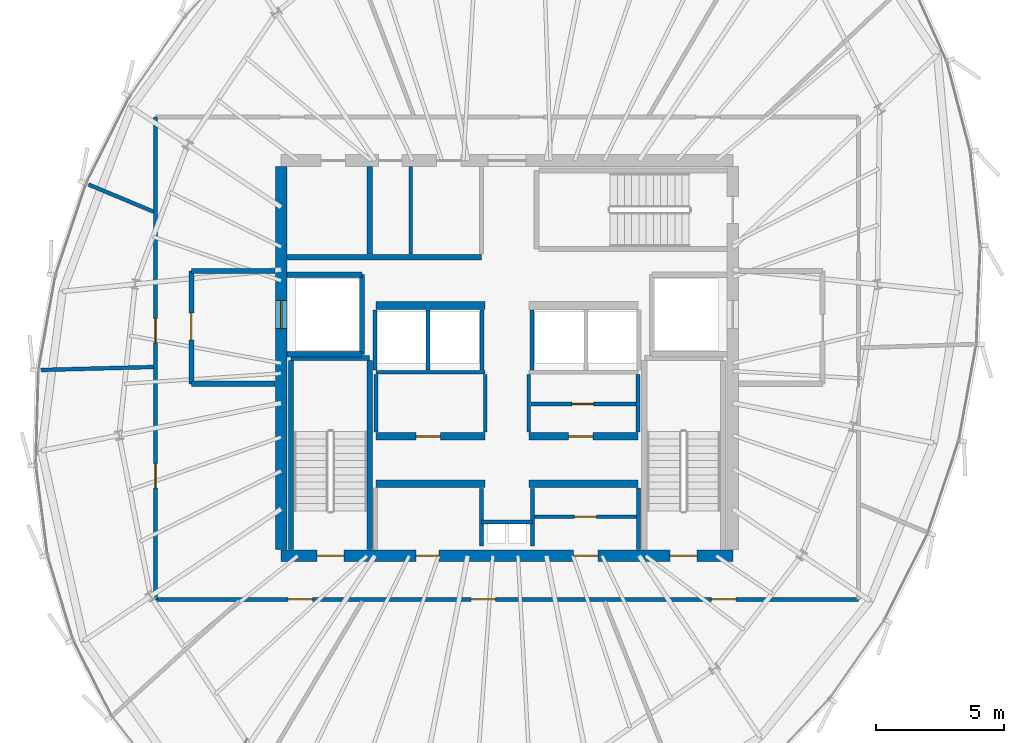
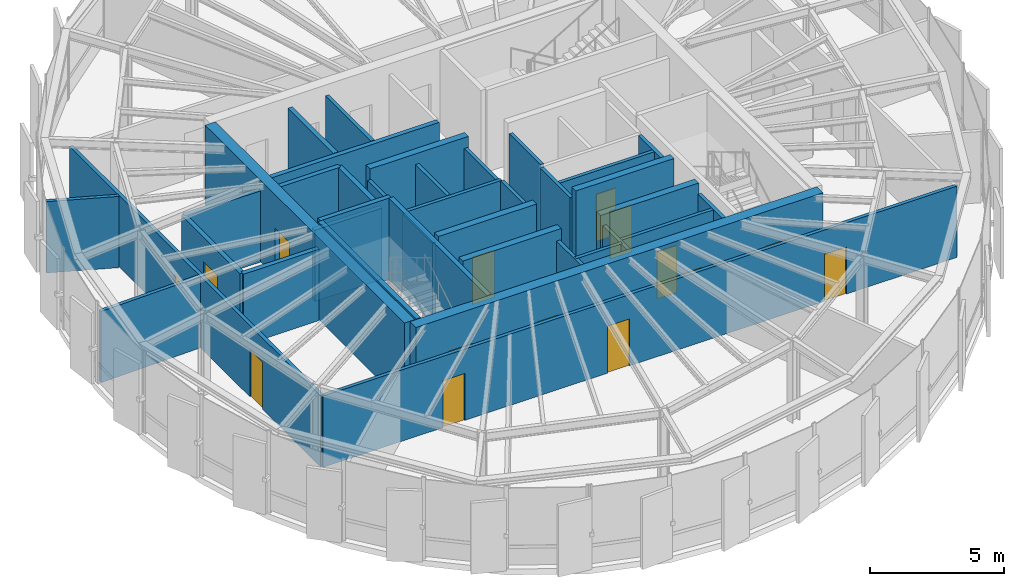
# One storey, part 20 of 25: 38 walls, 15 doors, 15 openings.
"""IFC4 building model written with IfcOpenShell, lengths in metres."""

from ifc_helpers import new_model, si_unit, direction, frame, frame_2d, origin, place, context, subcontext, project, spatial, rectangle, extrude, source, transform, mapped, material, layer, layer_set, type_object, element, fill, save


model = new_model("IFC4")

# Units and contexts
model_context = context("Model", 3, precision=1e-05, world=origin(), true_north=direction((0.0, 1.0)))
body_context = subcontext(model_context, "Body", "Model", "MODEL_VIEW")
ifc_project = project(units=[si_unit("LENGTHUNIT", "METRE"), si_unit("AREAUNIT", "SQUARE_METRE"), si_unit("VOLUMEUNIT", "CUBIC_METRE"), si_unit("PLANEANGLEUNIT", "RADIAN"), si_unit("MASSUNIT", "GRAM", prefix="KILO"), si_unit("THERMODYNAMICTEMPERATUREUNIT", "KELVIN")], contexts=[model_context])

# Site, building, storey
site_placement = place(None, origin())
site = spatial("IfcSite", under=ifc_project, at=site_placement, CompositionType="ELEMENT")
building_placement = place(site_placement, origin())
building = spatial("IfcBuilding", under=site, at=building_placement, Name="Kethvar Cultural Tower", CompositionType="ELEMENT")
storey_placement = place(building_placement, frame((0.0, 0.0, 304.300048828125)))
storey = spatial("IfcBuildingStorey", under=building, at=storey_placement, Name="L81", CompositionType="ELEMENT", Elevation=304.300048828125)

# Wall, openings, doors
ifc_material_1 = material(Name="Concrete C50/60", Category="concrete")
ifc_layer_1 = layer(ifc_material_1, 0.449951171875, Name="Concrete C50/60", Category="concrete")
ifc_layer_set_1 = layer_set([ifc_layer_1], Name="Concrete C50/60 (450 mm)")
wall_type_1 = type_object("IfcWallType", Name="WL-CORE-450", PredefinedType="SHEAR", material=ifc_layer_set_1)
wall_1_placement = place(storey_placement, frame((38.0, 20.10009765625, 0.0), z_axis=(0.0, 0.0, 1.0), x_axis=(1.0, 0.0, 0.0)))
wall_1 = element("IfcWall", 1, at=wall_1_placement, inside=storey, type_object=wall_type_1, Name="L81 Core Shear Wall S", PredefinedType="SHEAR", context=body_context, shape_type="SweptSolid", body=[
    extrude(rectangle(XDim=17.60009765625, YDim=0.449951171875, at=frame_2d((8.800048828125, 0.0))), origin(), (0.0, 0.0, 1.0), 3.73486328125),
])
opening_1_placement = place(wall_1_placement, frame((1.39990234375, 0.0, 0.0)))
opening_1 = element("IfcOpeningElement", 2, at=opening_1_placement, cuts=wall_1, Name="Opening D-L81-S1", PredefinedType="OPENING", context=body_context, shape_type="SweptSolid", body=[
    extrude(rectangle(XDim=1.050048828125, YDim=2.14990234375, at=frame_2d((0.52490234375, 1.074951171875))), frame((0.0, 0.23486328125, 0.0), z_axis=(0.0, -1.0, 0.0), x_axis=(1.0, 0.0, 0.0)), (0.0, 0.0, 1.0), 0.469970703125),
])
opening_2_placement = place(wall_1_placement, frame((15.14990234375, 0.0, 0.0)))
opening_2 = element("IfcOpeningElement", 3, at=opening_2_placement, cuts=wall_1, Name="Opening D-L81-ST2", PredefinedType="OPENING", context=body_context, shape_type="SweptSolid", body=[
    extrude(rectangle(XDim=1.050048828125, YDim=2.14990234375, at=frame_2d((0.52490234375, 1.074951171875))), frame((0.0, 0.23486328125, 0.0), z_axis=(0.0, -1.0, 0.0), x_axis=(1.0, 0.0, 0.0)), (0.0, 0.0, 1.0), 0.469970703125),
])
opening_3_placement = place(wall_1_placement, frame((5.25, 0.0, 0.0)))
opening_3 = element("IfcOpeningElement", 4, at=opening_3_placement, cuts=wall_1, Name="Opening D-L81-V1", PredefinedType="OPENING", context=body_context, shape_type="SweptSolid", body=[
    extrude(rectangle(XDim=0.89990234375, YDim=2.14990234375, at=frame_2d((0.449951171875, 1.074951171875))), frame((0.0, 0.23486328125, 0.0), z_axis=(0.0, -1.0, 0.0), x_axis=(1.0, 0.0, 0.0)), (0.0, 0.0, 1.0), 0.469970703125),
])
opening_4_placement = place(wall_1_placement, frame((11.39990234375, 0.0, 0.0)))
opening_4 = element("IfcOpeningElement", 5, at=opening_4_placement, cuts=wall_1, Name="Opening D-L81-V2", PredefinedType="OPENING", context=body_context, shape_type="SweptSolid", body=[
    extrude(rectangle(XDim=0.949951171875, YDim=2.14990234375, at=frame_2d((0.47509765625, 1.074951171875))), frame((0.0, 0.23486328125, 0.0), z_axis=(0.0, -1.0, 0.0), x_axis=(1.0, 0.0, 0.0)), (0.0, 0.0, 1.0), 0.469970703125),
])
ifc_material_2 = material(Name="Steel S355J2", Category="steel")
door_type_1 = type_object("IfcDoorType", Name="DR-FD60-1050", OperationType="NOTDEFINED", PredefinedType="DOOR", material=ifc_material_2)
shared_shape_1 = source(origin(), body_context, "Body", "SweptSolid", [
    extrude(rectangle(XDim=1.050048828125, YDim=2.14990234375, at=frame_2d((0.52490234375, 1.074951171875))), frame((0.0, 0.02490234375, 0.0), z_axis=(0.0, -1.0, 0.0), x_axis=(1.0, 0.0, 0.0)), (0.0, 0.0, 1.0), 0.050048828125),
])
door_1_placement = place(opening_1_placement, origin())
door_1 = element("IfcDoor", 6, at=door_1_placement, inside=storey, type_object=door_type_1, Name="L81 Exit Stair 1 Door", OperationType="SINGLE_SWING_LEFT", OverallHeight=2.14990234375, OverallWidth=1.050048828125, PredefinedType="DOOR", context=body_context, shape_type="MappedRepresentation", body=[
    mapped(shared_shape_1, transform((0.0, 0.0, 0.0), scale=1.0)),
])
fill(opening_1, door_1)
door_2_placement = place(opening_2_placement, origin())
door_2 = element("IfcDoor", 7, at=door_2_placement, inside=storey, type_object=door_type_1, Name="L81 Exit Stair 2 Door", OperationType="SINGLE_SWING_RIGHT", OverallHeight=2.14990234375, OverallWidth=1.050048828125, PredefinedType="DOOR", context=body_context, shape_type="MappedRepresentation", body=[
    mapped(shared_shape_1, transform((0.0, 0.0, 0.0), scale=1.0)),
])
fill(opening_2, door_2)
ifc_material_3 = material(Name="Architectural Oak Timber", Category="wood")
door_type_2 = type_object("IfcDoorType", Name="DR-FD30-950", OperationType="NOTDEFINED", PredefinedType="DOOR", material=ifc_material_3)
shared_shape_2 = source(origin(), body_context, "Body", "SweptSolid", [
    extrude(rectangle(XDim=0.949951171875, YDim=2.14990234375, at=frame_2d((0.47509765625, 1.074951171875))), frame((0.0, 0.02490234375, 0.0), z_axis=(0.0, -1.0, 0.0), x_axis=(1.0, 0.0, 0.0)), (0.0, 0.0, 1.0), 0.050048828125),
])
door_3_placement = place(opening_4_placement, origin())
door_3 = element("IfcDoor", 8, at=door_3_placement, inside=storey, type_object=door_type_2, Name="L81 Bindery Supply Door", OperationType="SINGLE_SWING_RIGHT", OverallHeight=2.14990234375, OverallWidth=0.949951171875, PredefinedType="DOOR", context=body_context, shape_type="MappedRepresentation", body=[
    mapped(shared_shape_2, transform((0.0, 0.0, 0.0), scale=1.0)),
])
fill(opening_4, door_3)
door_type_3 = type_object("IfcDoorType", Name="DR-FD30-900", OperationType="NOTDEFINED", PredefinedType="DOOR", material=ifc_material_3)
shared_shape_3 = source(origin(), body_context, "Body", "SweptSolid", [
    extrude(rectangle(XDim=0.89990234375, YDim=2.14990234375, at=frame_2d((0.449951171875, 1.074951171875))), frame((0.0, 0.02490234375, 0.0), z_axis=(0.0, -1.0, 0.0), x_axis=(1.0, 0.0, 0.0)), (0.0, 0.0, 1.0), 0.050048828125),
])
door_4_placement = place(opening_3_placement, origin())
door_4 = element("IfcDoor", 9, at=door_4_placement, inside=storey, type_object=door_type_3, Name="L81 Folio Vault Door", OperationType="SINGLE_SWING_LEFT", OverallHeight=2.14990234375, OverallWidth=0.89990234375, PredefinedType="DOOR", context=body_context, shape_type="MappedRepresentation", body=[
    mapped(shared_shape_3, transform((0.0, 0.0, 0.0), scale=1.0)),
])
fill(opening_3, door_4)

# Wall, opening, door
wall_2_placement = place(storey_placement, frame((38.0, 35.260009765625, 0.0), z_axis=(0.0, 0.0, 1.0), x_axis=(0.0, -1.0, 0.0)))
wall_2 = element("IfcWall", 10, at=wall_2_placement, inside=storey, type_object=wall_type_1, Name="L81 Core Shear Wall W", PredefinedType="SHEAR", context=body_context, shape_type="SweptSolid", body=[
    extrude(rectangle(XDim=14.919921875, YDim=0.449951171875, at=frame_2d((7.4599609375, 0.0))), origin(), (0.0, 0.0, 1.0), 3.73486328125),
])
opening_5_placement = place(wall_2_placement, frame((5.2099609375, 0.0, 0.0)))
opening_5 = element("IfcOpeningElement", 11, at=opening_5_placement, cuts=wall_2, Name="Opening LD-1", PredefinedType="OPENING", context=body_context, shape_type="SweptSolid", body=[
    extrude(rectangle(XDim=1.10009765625, YDim=2.199951171875, at=frame_2d((0.550048828125, 1.10009765625))), frame((0.0, 0.23486328125, 0.0), z_axis=(0.0, -1.0, 0.0), x_axis=(1.0, 0.0, 0.0)), (0.0, 0.0, 1.0), 0.469970703125),
])
door_type_4 = type_object("IfcDoorType", Name="DR-LIFT-SLIDE-1100", OperationType="NOTDEFINED", PredefinedType="DOOR", material=ifc_material_2)
shared_shape_4 = source(origin(), body_context, "Body", "SweptSolid", [
    extrude(rectangle(XDim=1.10009765625, YDim=2.199951171875, at=frame_2d((0.550048828125, 1.10009765625))), frame((0.0, 0.02490234375, 0.0), z_axis=(0.0, -1.0, 0.0), x_axis=(1.0, 0.0, 0.0)), (0.0, 0.0, 1.0), 0.050048828125),
])
door_5_placement = place(opening_5_placement, origin())
door_5 = element("IfcDoor", 12, at=door_5_placement, inside=storey, type_object=door_type_4, Name="L81 Firefighting Lift Landing Door FFL-01", OperationType="SLIDING_TO_LEFT", OverallHeight=2.199951171875, OverallWidth=1.10009765625, PredefinedType="DOOR", context=body_context, shape_type="MappedRepresentation", body=[
    mapped(shared_shape_4, transform((0.0, 0.0, 0.0), scale=1.0)),
])
fill(opening_5, door_5)

# Walls
ifc_material_4 = material(Name="Gypsum Fireboard Partition")
ifc_layer_2 = layer(ifc_material_4, 0.14990234375, Name="Gypsum Fireboard Partition")
ifc_layer_set_2 = layer_set([ifc_layer_2], Name="Gypsum Fireboard Partition (150 mm)")
wall_type_2 = type_object("IfcWallType", Name="WL-FIRE-150", PredefinedType="PARTITIONING", material=ifc_layer_set_2)
wall_3_placement = place(storey_placement, frame((45.800048828125, 21.419921875, 0.0), z_axis=(0.0, 0.0, 1.0), x_axis=(1.0, 0.0, 0.0)))
element("IfcWall", 13, at=wall_3_placement, inside=storey, type_object=wall_type_2, Name="L81 Core Riser Wall", PredefinedType="PARTITIONING", context=body_context, shape_type="SweptSolid", body=[
    extrude(rectangle(XDim=2.0, YDim=0.14990234375, at=frame_2d((1.0, 0.0))), origin(), (0.0, 0.0, 1.0), 3.260009765625),
])
for number, where, z_axis, x_axis, name in (
    (14, (45.800048828125, 20.47998046875, 0.0), (0.0, 0.0, 1.0), (0.0, 1.0, 0.0), "L81 Core Riser West Wall"),
    (15, (47.800048828125, 20.47998046875, 0.0), (0.0, 0.0, 1.0), (0.0, 1.0, 0.0), "L81 Core Riser East Wall"),
):
    element("IfcWall", number, at=place(storey_placement, frame(where, z_axis=z_axis, x_axis=x_axis)), inside=storey, type_object=wall_type_2, Name=name, PredefinedType="PARTITIONING", context=body_context, shape_type="SweptSolid", body=[
        extrude(rectangle(XDim=2.239990234375, YDim=0.14990234375, at=frame_2d((1.1201171875, 0.0))), origin(), (0.0, 0.0, 1.0), 3.260009765625),
    ])
wall_4_placement = place(storey_placement, frame((51.919921875, 20.3349609375, 0.0), z_axis=(0.0, 0.0, 1.0), x_axis=(0.0, 1.0, 0.0)))
element("IfcWall", 16, at=wall_4_placement, inside=storey, type_object=wall_type_2, Name="L81 Reclaimed East Outer Wall", PredefinedType="PARTITIONING", context=body_context, shape_type="SweptSolid", body=[
    extrude(rectangle(XDim=2.39501953125, YDim=0.14990234375, at=frame_2d((1.197509765625, 0.0))), origin(), (0.0, 0.0, 1.0), 3.260009765625),
])

# Wall, opening, door
wall_5_placement = place(storey_placement, frame((47.8798828125, 21.6201171875, 0.0), z_axis=(0.0, 0.0, 1.0), x_axis=(1.0, 0.0, 0.0)))
wall_5 = element("IfcWall", 17, at=wall_5_placement, inside=storey, type_object=wall_type_2, Name="L81 Pantry Gallery Wall E", PredefinedType="PARTITIONING", context=body_context, shape_type="SweptSolid", body=[
    extrude(rectangle(XDim=3.960205078125, YDim=0.14990234375, at=frame_2d((1.97998046875, 0.0))), origin(), (0.0, 0.0, 1.0), 3.260009765625),
])
opening_6_placement = place(wall_5_placement, frame((1.550048828125, 0.0, 0.0)))
opening_6 = element("IfcOpeningElement", 18, at=opening_6_placement, cuts=wall_5, Name="Opening D-L81-V3", PredefinedType="OPENING", context=body_context, shape_type="SweptSolid", body=[
    extrude(rectangle(XDim=0.85009765625, YDim=2.14990234375, at=frame_2d((0.425048828125, 1.074951171875))), frame((0.0, 0.0849609375, 0.0), z_axis=(0.0, -1.0, 0.0), x_axis=(1.0, 0.0, 0.0)), (0.0, 0.0, 1.0), 0.169921875),
])
door_type_5 = type_object("IfcDoorType", Name="DR-FD30-850", OperationType="NOTDEFINED", PredefinedType="DOOR", material=ifc_material_2)
shared_shape_5 = source(origin(), body_context, "Body", "SweptSolid", [
    extrude(rectangle(XDim=0.85009765625, YDim=2.14990234375, at=frame_2d((0.425048828125, 1.074951171875))), frame((0.0, 0.02490234375, 0.0), z_axis=(0.0, -1.0, 0.0), x_axis=(1.0, 0.0, 0.0)), (0.0, 0.0, 1.0), 0.050048828125),
])
door_6_placement = place(opening_6_placement, origin())
door_6 = element("IfcDoor", 19, at=door_6_placement, inside=storey, type_object=door_type_5, Name="L81 Inner Pantry Gallery Door", OperationType="SINGLE_SWING_RIGHT", OverallHeight=2.14990234375, OverallWidth=0.85009765625, PredefinedType="DOOR", context=body_context, shape_type="MappedRepresentation", body=[
    mapped(shared_shape_5, transform((0.0, 0.0, 0.0), scale=1.0)),
])
fill(opening_6, door_6)

# Walls
wall_6_placement = place(storey_placement, frame((41.699951171875, 27.25, 0.0), z_axis=(0.0, 0.0, 1.0), x_axis=(1.0, 0.0, 0.0)))
element("IfcWall", 20, at=wall_6_placement, inside=storey, type_object=wall_type_2, Name="L81 Reclaimed Mid Wall W", PredefinedType="PARTITIONING", context=body_context, shape_type="SweptSolid", body=[
    extrude(rectangle(XDim=4.25, YDim=0.14990234375, at=frame_2d((2.125, 0.0))), origin(), (0.0, 0.0, 1.0), 3.260009765625),
])
for number, where, z_axis, x_axis, name in (
    (21, (41.699951171875, 24.919921875, 0.0), (0.0, 0.0, 1.0), (0.0, 1.0, 0.0), "L81 Reclaimed Mid Outer W"),
    (22, (45.949951171875, 24.919921875, 0.0), (0.0, 0.0, 1.0), (0.0, 1.0, 0.0), "L81 Reclaimed Mid Spine W"),
    (23, (47.64990234375, 24.919921875, 0.0), (0.0, 0.0, 1.0), (0.0, 1.0, 0.0), "L81 Reclaimed Mid Spine E"),
    (24, (51.89990234375, 24.919921875, 0.0), (0.0, 0.0, 1.0), (0.0, 1.0, 0.0), "L81 Reclaimed Mid Outer E"),
):
    element("IfcWall", number, at=place(storey_placement, frame(where, z_axis=z_axis, x_axis=x_axis)), inside=storey, type_object=wall_type_2, Name=name, PredefinedType="PARTITIONING", context=body_context, shape_type="SweptSolid", body=[
        extrude(rectangle(XDim=2.239990234375, YDim=0.14990234375, at=frame_2d((1.1201171875, 0.0))), origin(), (0.0, 0.0, 1.0), 3.260009765625),
    ])

# Wall, opening, door
wall_7_placement = place(storey_placement, frame((47.72998046875, 26.010009765625, 0.0), z_axis=(0.0, 0.0, 1.0), x_axis=(1.0, 0.0, 0.0)))
wall_7 = element("IfcWall", 25, at=wall_7_placement, inside=storey, type_object=wall_type_2, Name="L81 Mid Gallery Wall E", PredefinedType="PARTITIONING", context=body_context, shape_type="SweptSolid", body=[
    extrude(rectangle(XDim=4.090087890625, YDim=0.14990234375, at=frame_2d((2.044921875, 0.0))), origin(), (0.0, 0.0, 1.0), 3.260009765625),
])
opening_7_placement = place(wall_7_placement, frame((1.60009765625, 0.0, 0.0)))
opening_7 = element("IfcOpeningElement", 26, at=opening_7_placement, cuts=wall_7, Name="Opening D-L81-M3", PredefinedType="OPENING", context=body_context, shape_type="SweptSolid", body=[
    extrude(rectangle(XDim=0.85009765625, YDim=2.14990234375, at=frame_2d((0.425048828125, 1.074951171875))), frame((0.0, 0.0849609375, 0.0), z_axis=(0.0, -1.0, 0.0), x_axis=(1.0, 0.0, 0.0)), (0.0, 0.0, 1.0), 0.169921875),
])
door_7_placement = place(opening_7_placement, origin())
door_7 = element("IfcDoor", 27, at=door_7_placement, inside=storey, type_object=door_type_5, Name="L81 UPS Inner Door", OperationType="SINGLE_SWING_RIGHT", OverallHeight=2.14990234375, OverallWidth=0.85009765625, PredefinedType="DOOR", context=body_context, shape_type="MappedRepresentation", body=[
    mapped(shared_shape_5, transform((0.0, 0.0, 0.0), scale=1.0)),
])
fill(opening_7, door_7)

# Walls
for number, where, z_axis, x_axis, name in (
    (28, (41.64990234375, 27.340087890625, 0.0), (0.0, 0.0, 1.0), (0.0, 1.0, 0.0), "L81 High-Rise Lift Shaft Outer Wall W"),
    (29, (43.72509765625, 27.340087890625, 0.0), (0.0, 0.0, 1.0), (0.0, 1.0, 0.0), "L81 High-Rise Lift Shaft Divider W"),
    (30, (45.824951171875, 27.340087890625, 0.0), (0.0, 0.0, 1.0), (0.0, 1.0, 0.0), "L81 High-Rise Lift Shaft Concourse Wall W"),
    (31, (47.77490234375, 27.340087890625, 0.0), (0.0, 0.0, 1.0), (0.0, 1.0, 0.0), "L81 High-Rise Lift Shaft Concourse Wall E"),
):
    element("IfcWall", number, at=place(storey_placement, frame(where, z_axis=z_axis, x_axis=x_axis)), inside=storey, type_object=wall_type_2, Name=name, PredefinedType="PARTITIONING", context=body_context, shape_type="SweptSolid", body=[
        extrude(rectangle(XDim=2.33984375, YDim=0.14990234375, at=frame_2d((1.169921875, 0.0))), origin(), (0.0, 0.0, 1.0), 3.260009765625),
    ])

# Wall, openings, doors
wall_8_placement = place(storey_placement, frame((33.10009765625, 18.39990234375, 0.0), z_axis=(0.0, 0.0, 1.0), x_axis=(1.0, 0.0, 0.0)))
wall_8 = element("IfcWall", 32, at=wall_8_placement, inside=storey, type_object=wall_type_2, Name="L81 Corridor Rated Wall S", PredefinedType="PARTITIONING", context=body_context, shape_type="SweptSolid", body=[
    extrude(rectangle(XDim=27.39990234375, YDim=0.14990234375, at=frame_2d((13.699951171875, 0.0))), origin(), (0.0, 0.0, 1.0), 3.260009765625),
])
opening_8_placement = place(wall_8_placement, frame((5.17431640625, 0.0, 0.0)))
opening_8 = element("IfcOpeningElement", 33, at=opening_8_placement, cuts=wall_8, Name="Opening D-L81-02", PredefinedType="OPENING", context=body_context, shape_type="SweptSolid", body=[
    extrude(rectangle(XDim=0.949951171875, YDim=2.14990234375, at=frame_2d((0.47509765625, 1.074951171875))), frame((0.0, 0.0849609375, 0.0), z_axis=(0.0, -1.0, 0.0), x_axis=(1.0, 0.0, 0.0)), (0.0, 0.0, 1.0), 0.169921875),
])
opening_9_placement = place(wall_8_placement, frame((12.302490234375, 0.0, 0.0)))
opening_9 = element("IfcOpeningElement", 34, at=opening_9_placement, cuts=wall_8, Name="Opening D-L81-03", PredefinedType="OPENING", context=body_context, shape_type="SweptSolid", body=[
    extrude(rectangle(XDim=0.949951171875, YDim=2.14990234375, at=frame_2d((0.47509765625, 1.074951171875))), frame((0.0, 0.0849609375, 0.0), z_axis=(0.0, -1.0, 0.0), x_axis=(1.0, 0.0, 0.0)), (0.0, 0.0, 1.0), 0.169921875),
])
opening_10_placement = place(wall_8_placement, frame((21.66796875, 0.0, 0.0)))
opening_10 = element("IfcOpeningElement", 35, at=opening_10_placement, cuts=wall_8, Name="Opening D-L81-04", PredefinedType="OPENING", context=body_context, shape_type="SweptSolid", body=[
    extrude(rectangle(XDim=0.949951171875, YDim=2.14990234375, at=frame_2d((0.47509765625, 1.074951171875))), frame((0.0, 0.0849609375, 0.0), z_axis=(0.0, -1.0, 0.0), x_axis=(1.0, 0.0, 0.0)), (0.0, 0.0, 1.0), 0.169921875),
])
door_8_placement = place(opening_8_placement, origin())
door_8 = element("IfcDoor", 36, at=door_8_placement, inside=storey, type_object=door_type_2, Name="L81 Primary AHU Mechanical Plant Room 02 Door", OperationType="SINGLE_SWING_LEFT", OverallHeight=2.14990234375, OverallWidth=0.949951171875, PredefinedType="DOOR", context=body_context, shape_type="MappedRepresentation", body=[
    mapped(shared_shape_2, transform((0.0, 0.0, 0.0), scale=1.0)),
])
fill(opening_8, door_8)
door_9_placement = place(opening_9_placement, origin())
door_9 = element("IfcDoor", 37, at=door_9_placement, inside=storey, type_object=door_type_2, Name="L81 Broadcast Transmitter Plant Room 03 Door", OperationType="SINGLE_SWING_RIGHT", OverallHeight=2.14990234375, OverallWidth=0.949951171875, PredefinedType="DOOR", context=body_context, shape_type="MappedRepresentation", body=[
    mapped(shared_shape_2, transform((0.0, 0.0, 0.0), scale=1.0)),
])
fill(opening_9, door_9)
door_10_placement = place(opening_10_placement, origin())
door_10 = element("IfcDoor", 38, at=door_10_placement, inside=storey, type_object=door_type_2, Name="L81 MV Transformer Plant Room 04 Door", OperationType="SINGLE_SWING_LEFT", OverallHeight=2.14990234375, OverallWidth=0.949951171875, PredefinedType="DOOR", context=body_context, shape_type="MappedRepresentation", body=[
    mapped(shared_shape_2, transform((0.0, 0.0, 0.0), scale=1.0)),
])
fill(opening_10, door_10)

wall_9_placement = place(storey_placement, frame((33.10009765625, 37.199951171875, 0.0), z_axis=(0.0, 0.0, 1.0), x_axis=(0.0, -1.0, 0.0)))
wall_9 = element("IfcWall", 39, at=wall_9_placement, inside=storey, type_object=wall_type_2, Name="L81 Corridor Rated Wall W", PredefinedType="PARTITIONING", context=body_context, shape_type="SweptSolid", body=[
    extrude(rectangle(XDim=18.800048828125, YDim=0.14990234375, at=frame_2d((9.39990234375, 0.0))), origin(), (0.0, 0.0, 1.0), 3.260009765625),
])
opening_11_placement = place(wall_9_placement, frame((13.50732421875, 0.0, 0.0)))
opening_11 = element("IfcOpeningElement", 40, at=opening_11_placement, cuts=wall_9, Name="Opening D-L81-01", PredefinedType="OPENING", context=body_context, shape_type="SweptSolid", body=[
    extrude(rectangle(XDim=0.949951171875, YDim=2.14990234375, at=frame_2d((0.47509765625, 1.074951171875))), frame((0.0, 0.0849609375, 0.0), z_axis=(0.0, -1.0, 0.0), x_axis=(1.0, 0.0, 0.0)), (0.0, 0.0, 1.0), 0.169921875),
])
opening_12_placement = place(wall_9_placement, frame((7.848388671875, 0.0, 0.0)))
opening_12 = element("IfcOpeningElement", 41, at=opening_12_placement, cuts=wall_9, Name="Opening D-L81-10", PredefinedType="OPENING", context=body_context, shape_type="SweptSolid", body=[
    extrude(rectangle(XDim=0.949951171875, YDim=2.14990234375, at=frame_2d((0.47509765625, 1.074951171875))), frame((0.0, 0.0849609375, 0.0), z_axis=(0.0, -1.0, 0.0), x_axis=(1.0, 0.0, 0.0)), (0.0, 0.0, 1.0), 0.169921875),
])
door_11_placement = place(opening_11_placement, origin())
door_11 = element("IfcDoor", 42, at=door_11_placement, inside=storey, type_object=door_type_2, Name="L81 Crown Chiller Plant Room 01 Door", OperationType="SINGLE_SWING_RIGHT", OverallHeight=2.14990234375, OverallWidth=0.949951171875, PredefinedType="DOOR", context=body_context, shape_type="MappedRepresentation", body=[
    mapped(shared_shape_2, transform((0.0, 0.0, 0.0), scale=1.0)),
])
fill(opening_11, door_11)
door_12_placement = place(opening_12_placement, origin())
door_12 = element("IfcDoor", 43, at=door_12_placement, inside=storey, type_object=door_type_2, Name="L81 Telemetry Equipment Plant Room 10 Door", OperationType="SINGLE_SWING_LEFT", OverallHeight=2.14990234375, OverallWidth=0.949951171875, PredefinedType="DOOR", context=body_context, shape_type="MappedRepresentation", body=[
    mapped(shared_shape_2, transform((0.0, 0.0, 0.0), scale=1.0)),
])
fill(opening_12, door_12)

# Walls
wall_10_placement = place(storey_placement, frame((33.02001953125, 27.453369140625, 0.0), z_axis=(0.0, 0.0, 1.0), x_axis=(-0.999647940646, -0.026532899632, 0.0)))
element("IfcWall", 44, at=wall_10_placement, inside=storey, type_object=wall_type_2, Name="L81 Radial Partition Wall 01", PredefinedType="PARTITIONING", context=body_context, shape_type="SweptSolid", body=[
    extrude(rectangle(XDim=4.37060546875, YDim=0.14990234375, at=frame_2d((2.185302734375, 0.0))), origin(), (0.0, 0.0, 1.0), 3.260009765625),
])
wall_11_placement = place(storey_placement, frame((33.026123046875, 33.505615234375, 0.0), z_axis=(0.0, 0.0, 1.0), x_axis=(-0.922747412887, 0.385405256854, 0.0)))
element("IfcWall", 45, at=wall_11_placement, inside=storey, type_object=wall_type_2, Name="L81 Radial Partition Wall 10", PredefinedType="PARTITIONING", context=body_context, shape_type="SweptSolid", body=[
    extrude(rectangle(XDim=2.742919921875, YDim=0.14990234375, at=frame_2d((1.37158203125, 0.0))), origin(), (0.0, 0.0, 1.0), 3.260009765625),
])
ifc_material_5 = material(Name="Concrete C40/50", Category="concrete")
ifc_layer_3 = layer(ifc_material_5, 0.199951171875, Name="Concrete C40/50", Category="concrete")
ifc_layer_set_3 = layer_set([ifc_layer_3], Name="Concrete C40/50 (200 mm)")
wall_type_3 = type_object("IfcWallType", Name="WL-FIRE-200", PredefinedType="PARTITIONING", material=ifc_layer_set_3)
wall_12_placement = place(storey_placement, frame((41.14990234375, 27.949951171875, 0.0), z_axis=(0.0, 0.0, 1.0), x_axis=(0.0, 1.0, 0.0)))
element("IfcWall", 46, at=wall_12_placement, inside=storey, type_object=wall_type_3, Name="L81 FFL-01 Shaft Inner Wall", PredefinedType="PARTITIONING", context=body_context, shape_type="SweptSolid", body=[
    extrude(rectangle(XDim=3.10009765625, YDim=0.199951171875, at=frame_2d((1.550048828125, 0.0))), origin(), (0.0, 0.0, 1.0), 3.260009765625),
])
for number, where, z_axis, x_axis, name in (
    (47, (38.235107421875, 27.949951171875, 0.0), (0.0, 0.0, 1.0), (1.0, 0.0, 0.0), "L81 FFL-01 Shaft South Wall"),
    (48, (38.235107421875, 31.050048828125, 0.0), (0.0, 0.0, 1.0), (1.0, 0.0, 0.0), "L81 FFL-01 Shaft North Wall"),
):
    element("IfcWall", number, at=place(storey_placement, frame(where, z_axis=z_axis, x_axis=x_axis)), inside=storey, type_object=wall_type_3, Name=name, PredefinedType="PARTITIONING", context=body_context, shape_type="SweptSolid", body=[
        extrude(rectangle(XDim=2.914794921875, YDim=0.199951171875, at=frame_2d((1.45751953125, 0.0))), origin(), (0.0, 0.0, 1.0), 3.260009765625),
    ])

# Wall, opening, door
wall_13_placement = place(storey_placement, frame((34.5, 31.199951171875, 0.0), z_axis=(0.0, 0.0, 1.0), x_axis=(0.0, -1.0, 0.0)))
wall_13 = element("IfcWall", 49, at=wall_13_placement, inside=storey, type_object=wall_type_3, Name="L81 Firefighting Lobby 1 Wall", PredefinedType="PARTITIONING", context=body_context, shape_type="SweptSolid", body=[
    extrude(rectangle(XDim=4.39990234375, YDim=0.199951171875, at=frame_2d((2.199951171875, 0.0))), origin(), (0.0, 0.0, 1.0), 3.260009765625),
])
opening_13_placement = place(wall_13_placement, frame((1.64990234375, 0.0, 0.0)))
opening_13 = element("IfcOpeningElement", 50, at=opening_13_placement, cuts=wall_13, Name="Opening D-L81-F1", PredefinedType="OPENING", context=body_context, shape_type="SweptSolid", body=[
    extrude(rectangle(XDim=1.050048828125, YDim=2.14990234375, at=frame_2d((0.52490234375, 1.074951171875))), frame((0.0, 0.10986328125, 0.0), z_axis=(0.0, -1.0, 0.0), x_axis=(1.0, 0.0, 0.0)), (0.0, 0.0, 1.0), 0.219970703125),
])
door_13_placement = place(opening_13_placement, origin())
door_13 = element("IfcDoor", 51, at=door_13_placement, inside=storey, type_object=door_type_1, Name="L81 Firefighting Lobby 1 Fire Door", OperationType="SINGLE_SWING_LEFT", OverallHeight=2.14990234375, OverallWidth=1.050048828125, PredefinedType="DOOR", context=body_context, shape_type="MappedRepresentation", body=[
    mapped(shared_shape_1, transform((0.0, 0.0, 0.0), scale=1.0)),
])
fill(opening_13, door_13)

# Walls
for number, where, z_axis, x_axis, name in (
    (52, (34.5, 26.800048828125, 0.0), (0.0, 0.0, 1.0), (1.0, 0.0, 0.0), "L81 FF Lobby 1 South Wall"),
    (53, (34.5, 31.199951171875, 0.0), (0.0, 0.0, 1.0), (1.0, 0.0, 0.0), "L81 FF Lobby 1 North Wall"),
):
    element("IfcWall", number, at=place(storey_placement, frame(where, z_axis=z_axis, x_axis=x_axis)), inside=storey, type_object=wall_type_3, Name=name, PredefinedType="PARTITIONING", context=body_context, shape_type="SweptSolid", body=[
        extrude(rectangle(XDim=3.264892578125, YDim=0.199951171875, at=frame_2d((1.63232421875, 0.0))), origin(), (0.0, 0.0, 1.0), 3.260009765625),
    ])
wall_14_placement = place(storey_placement, frame((41.449951171875, 31.85009765625, 0.0), z_axis=(0.0, 0.0, 1.0), x_axis=(0.0, 1.0, 0.0)))
element("IfcWall", 54, at=wall_14_placement, inside=storey, type_object=wall_type_3, Name="L81 NW Core Pocket Wall", PredefinedType="PARTITIONING", context=body_context, shape_type="SweptSolid", body=[
    extrude(rectangle(XDim=3.414794921875, YDim=0.199951171875, at=frame_2d((1.70751953125, 0.0))), origin(), (0.0, 0.0, 1.0), 3.260009765625),
])
wall_15_placement = place(storey_placement, frame((38.235107421875, 31.72998046875, 0.0), z_axis=(0.0, 0.0, 1.0), x_axis=(1.0, 0.0, 0.0)))
element("IfcWall", 55, at=wall_15_placement, inside=storey, type_object=wall_type_3, Name="L81 North Core Sanitary South Wall", PredefinedType="PARTITIONING", context=body_context, shape_type="SweptSolid", body=[
    extrude(rectangle(XDim=7.56494140625, YDim=0.199951171875, at=frame_2d((3.782470703125, 0.0))), origin(), (0.0, 0.0, 1.0), 3.260009765625),
])
ifc_material_6 = material(Name="Moisture-Resistant Sanitary Chase Wall")
ifc_layer_4 = layer(ifc_material_6, 0.14990234375, Name="Moisture-Resistant Sanitary Chase Wall")
ifc_layer_set_4 = layer_set([ifc_layer_4], Name="Moisture-Resistant Sanitary Chase Wall (150 mm)")
wall_type_4 = type_object("IfcWallType", Name="WL-PLUMB-150", PredefinedType="PLUMBINGWALL", material=ifc_layer_set_4)
wall_16_placement = place(storey_placement, frame((43.050048828125, 31.85009765625, 0.0), z_axis=(0.0, 0.0, 1.0), x_axis=(0.0, 1.0, 0.0)))
element("IfcWall", 56, at=wall_16_placement, inside=storey, type_object=wall_type_4, Name="L81 Sanitary Plumbing Wall", PredefinedType="PLUMBINGWALL", context=body_context, shape_type="SweptSolid", body=[
    extrude(rectangle(XDim=3.414794921875, YDim=0.14990234375, at=frame_2d((1.70751953125, 0.0))), origin(), (0.0, 0.0, 1.0), 3.260009765625),
])
ifc_layer_5 = layer(ifc_material_1, 0.300048828125, Name="Concrete C50/60", Category="concrete")
ifc_layer_set_5 = layer_set([ifc_layer_5], Name="Concrete C50/60 (300 mm)")
wall_type_5 = type_object("IfcWallType", Name="WL-SHAFT-300", PredefinedType="SHEAR", material=ifc_layer_set_5)
for number, where, z_axis, x_axis, name in (
    (57, (41.699951171875, 22.89990234375, 0.0), (0.0, 0.0, 1.0), (1.0, 0.0, 0.0), "L81 Core Lift Spine Wall MID1W"),
    (58, (47.64990234375, 22.89990234375, 0.0), (0.0, 0.0, 1.0), (1.0, 0.0, 0.0), "L81 Core Lift Spine Wall MID1E"),
):
    element("IfcWall", number, at=place(storey_placement, frame(where, z_axis=z_axis, x_axis=x_axis)), inside=storey, type_object=wall_type_5, Name=name, PredefinedType="SHEAR", context=body_context, shape_type="SweptSolid", body=[
        extrude(rectangle(XDim=4.25, YDim=0.300048828125, at=frame_2d((2.125, 0.0))), origin(), (0.0, 0.0, 1.0), 3.73486328125),
    ])

# Wall, opening, door
wall_17_placement = place(storey_placement, frame((41.699951171875, 24.75, 0.0), z_axis=(0.0, 0.0, 1.0), x_axis=(1.0, 0.0, 0.0)))
wall_17 = element("IfcWall", 59, at=wall_17_placement, inside=storey, type_object=wall_type_5, Name="L81 Core Lift Spine Wall MID2W", PredefinedType="SHEAR", context=body_context, shape_type="SweptSolid", body=[
    extrude(rectangle(XDim=4.25, YDim=0.300048828125, at=frame_2d((2.125, 0.0))), origin(), (0.0, 0.0, 1.0), 3.73486328125),
])
opening_14_placement = place(wall_17_placement, frame((1.550048828125, 0.0, 0.0)))
opening_14 = element("IfcOpeningElement", 60, at=opening_14_placement, cuts=wall_17, Name="Opening D-L81-M1", PredefinedType="OPENING", context=body_context, shape_type="SweptSolid", body=[
    extrude(rectangle(XDim=0.949951171875, YDim=2.14990234375, at=frame_2d((0.47509765625, 1.074951171875))), frame((0.0, 0.159912109375, 0.0), z_axis=(0.0, -1.0, 0.0), x_axis=(1.0, 0.0, 0.0)), (0.0, 0.0, 1.0), 0.320068359375),
])
door_14_placement = place(opening_14_placement, origin())
door_14 = element("IfcDoor", 61, at=door_14_placement, inside=storey, type_object=door_type_2, Name="L81 Broadcast Rack Door", OperationType="SINGLE_SWING_LEFT", OverallHeight=2.14990234375, OverallWidth=0.949951171875, PredefinedType="DOOR", context=body_context, shape_type="MappedRepresentation", body=[
    mapped(shared_shape_2, transform((0.0, 0.0, 0.0), scale=1.0)),
])
fill(opening_14, door_14)

wall_18_placement = place(storey_placement, frame((47.64990234375, 24.75, 0.0), z_axis=(0.0, 0.0, 1.0), x_axis=(1.0, 0.0, 0.0)))
wall_18 = element("IfcWall", 62, at=wall_18_placement, inside=storey, type_object=wall_type_5, Name="L81 Core Lift Spine Wall MID2E", PredefinedType="SHEAR", context=body_context, shape_type="SweptSolid", body=[
    extrude(rectangle(XDim=4.25, YDim=0.300048828125, at=frame_2d((2.125, 0.0))), origin(), (0.0, 0.0, 1.0), 3.73486328125),
])
opening_15_placement = place(wall_18_placement, frame((1.550048828125, 0.0, 0.0)))
opening_15 = element("IfcOpeningElement", 63, at=opening_15_placement, cuts=wall_18, Name="Opening D-L81-M2", PredefinedType="OPENING", context=body_context, shape_type="SweptSolid", body=[
    extrude(rectangle(XDim=0.949951171875, YDim=2.14990234375, at=frame_2d((0.47509765625, 1.074951171875))), frame((0.0, 0.159912109375, 0.0), z_axis=(0.0, -1.0, 0.0), x_axis=(1.0, 0.0, 0.0)), (0.0, 0.0, 1.0), 0.320068359375),
])
door_15_placement = place(opening_15_placement, origin())
door_15 = element("IfcDoor", 64, at=door_15_placement, inside=storey, type_object=door_type_2, Name="L81 UPS Closet Door", OperationType="SINGLE_SWING_RIGHT", OverallHeight=2.14990234375, OverallWidth=0.949951171875, PredefinedType="DOOR", context=body_context, shape_type="MappedRepresentation", body=[
    mapped(shared_shape_2, transform((0.0, 0.0, 0.0), scale=1.0)),
])
fill(opening_15, door_15)

# Walls
wall_19_placement = place(storey_placement, frame((41.699951171875, 29.85009765625, 0.0), z_axis=(0.0, 0.0, 1.0), x_axis=(1.0, 0.0, 0.0)))
element("IfcWall", 65, at=wall_19_placement, inside=storey, type_object=wall_type_5, Name="L81 Core Lift Spine Wall MID3W", PredefinedType="SHEAR", context=body_context, shape_type="SweptSolid", body=[
    extrude(rectangle(XDim=4.25, YDim=0.300048828125, at=frame_2d((2.125, 0.0))), origin(), (0.0, 0.0, 1.0), 3.73486328125),
])
ifc_layer_6 = layer(ifc_material_1, 0.199951171875, Name="Concrete C50/60", Category="concrete")
ifc_layer_set_6 = layer_set([ifc_layer_6], Name="Concrete C50/60 (200 mm)")
wall_type_6 = type_object("IfcWallType", Name="WL-STSHAFT-200", PredefinedType="SHEAR", material=ifc_layer_set_6)
wall_20_placement = place(storey_placement, frame((38.389892578125, 27.800048828125, 0.0), z_axis=(0.0, 0.0, 1.0), x_axis=(1.0, 0.0, 0.0)))
element("IfcWall", 66, at=wall_20_placement, inside=storey, type_object=wall_type_6, Name="L81 ST-01 Stair Shaft Wall FAR", PredefinedType="SHEAR", context=body_context, shape_type="SweptSolid", body=[
    extrude(rectangle(XDim=3.06005859375, YDim=0.199951171875, at=frame_2d((1.530029296875, 0.0))), origin(), (0.0, 0.0, 1.0), 3.73486328125),
])
for number, where, z_axis, x_axis, name in (
    (67, (41.449951171875, 27.699951171875, 0.0), (0.0, 0.0, 1.0), (0.0, -1.0, 0.0), "L81 ST-01 Stair Shaft Wall LEFT"),
    (68, (38.389892578125, 20.35009765625, 0.0), (0.0, 0.0, 1.0), (0.0, 1.0, 0.0), "L81 ST-01 Stair Shaft Wall RIGHT"),
):
    element("IfcWall", number, at=place(storey_placement, frame(where, z_axis=z_axis, x_axis=x_axis)), inside=storey, type_object=wall_type_6, Name=name, PredefinedType="SHEAR", context=body_context, shape_type="SweptSolid", body=[
        extrude(rectangle(XDim=7.349853515625, YDim=0.199951171875, at=frame_2d((3.6748046875, 0.0))), origin(), (0.0, 0.0, 1.0), 3.73486328125),
    ])

save(model, "model.ifc")
